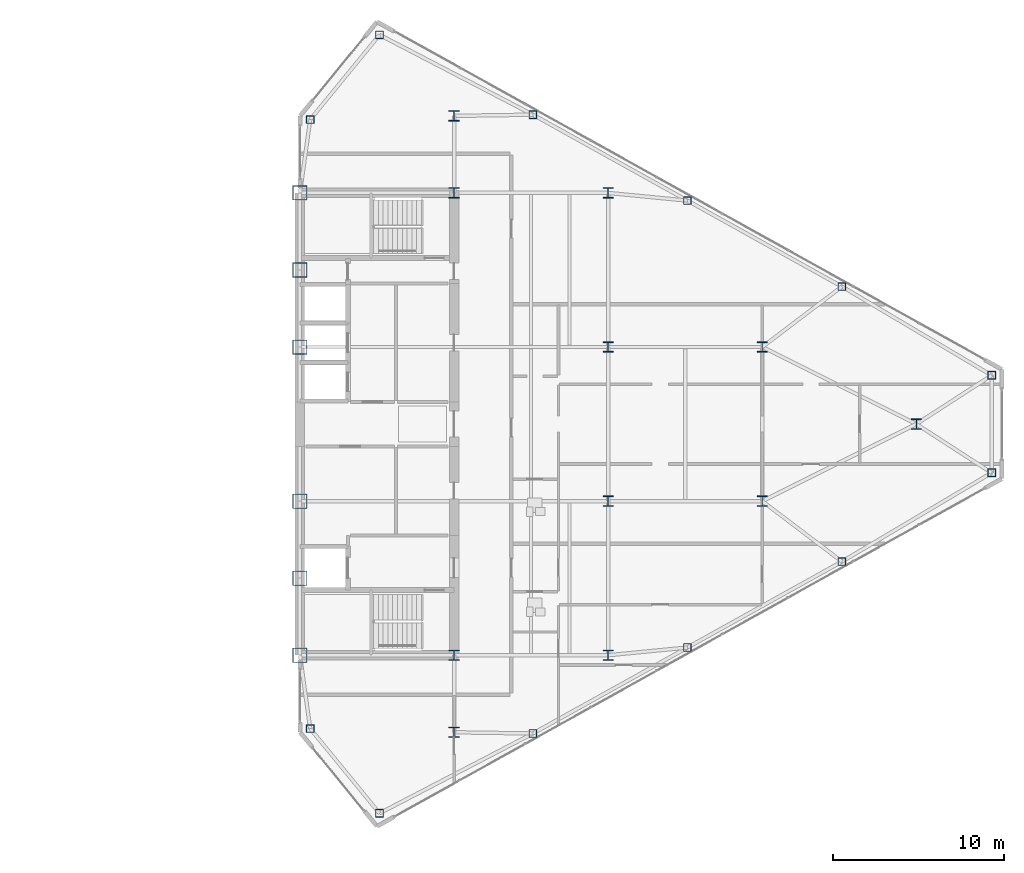
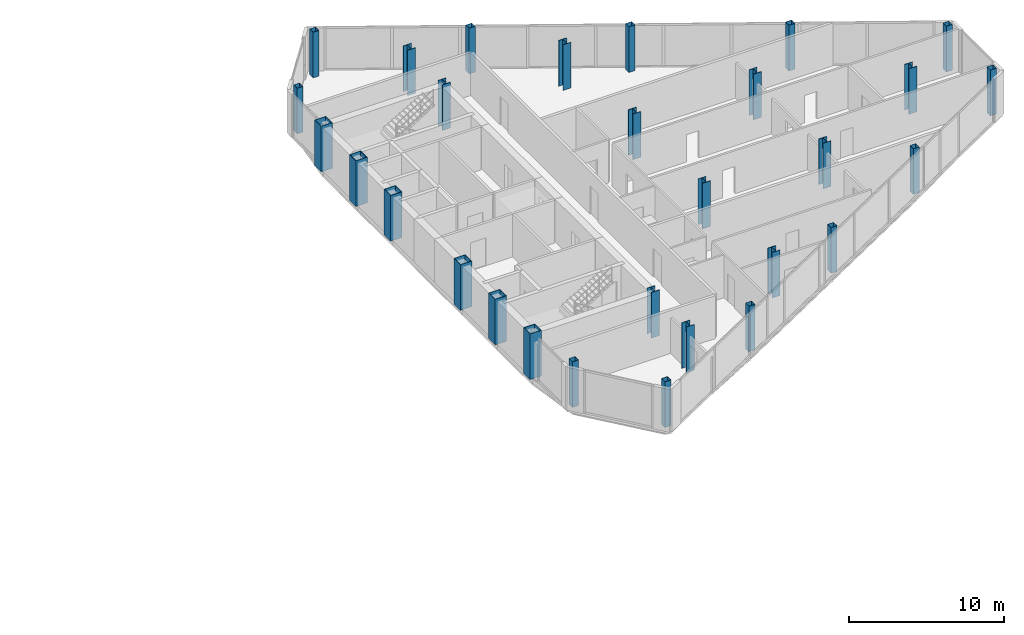
# One storey, part 2 of 26: 29 columns.
"""IFC4 building model written with IfcOpenShell, lengths in metres."""

from ifc_helpers import new_model, si_unit, direction, frame, origin, origin_2d, place, context, subcontext, project, spatial, hollow_rectangle, i_section, extrude, source, transform, mapped, material, material_profile, profile_set, type_object, type_shapes, element, save


model = new_model("IFC4")

# Units and contexts
model_context = context("Model", 3, precision=1e-05, world=origin(), true_north=direction((0.0, 1.0)))
body_context = subcontext(model_context, "Body", "Model", "MODEL_VIEW")
ifc_project = project(units=[si_unit("LENGTHUNIT", "METRE"), si_unit("AREAUNIT", "SQUARE_METRE"), si_unit("VOLUMEUNIT", "CUBIC_METRE"), si_unit("PLANEANGLEUNIT", "RADIAN"), si_unit("MASSUNIT", "GRAM", prefix="KILO")], contexts=[model_context])

# Site, building, storey
site_placement = place(None, origin())
site = spatial("IfcSite", under=ifc_project, at=site_placement, CompositionType="ELEMENT")
building_placement = place(site_placement, origin())
building = spatial("IfcBuilding", under=site, at=building_placement, Name="Seokmaru Belvedere", CompositionType="ELEMENT")
storey_placement = place(building_placement, frame((0.0, 0.0, 170.699951171875)))
storey = spatial("IfcBuildingStorey", under=building, at=storey_placement, Name="L45", CompositionType="ELEMENT", Elevation=170.699951171875)

# Columns
ifc_material_1 = material(Name="Steel SM355 (355 MPa)", Category="steel")
ifc_material_profile_1 = material_profile(ifc_material_1, hollow_rectangle(XDim=0.449951171875, YDim=0.449951171875, WallThickness=0.01806640625, at=origin_2d()), Name="HSS-450x450x18")
ifc_profile_set_1 = profile_set([ifc_material_profile_1], Name="Steel SM355 (355 MPa)")
column_type_1 = type_object("IfcColumnType", Name="Perimeter Facet Column HSS-450", PredefinedType="COLUMN", material=ifc_profile_set_1)
shared_shape_1 = source(origin(), body_context, "Body", "SweptSolid", [
    extrude(hollow_rectangle(XDim=0.449951171875, YDim=0.449951171875, WallThickness=0.01806640625, at=origin_2d()), origin(), (0.0, 0.0, 1.0), 3.60009765625),
])
type_shapes(column_type_1, [shared_shape_1])
for number, where, z_axis, x_axis, name in (
    (1, (32.146728515625, -22.731689453125, 0.0), (0.0, 0.0, 1.0), (1.0, 0.0, 0.0), "L45 Column EF1"),
    (2, (67.89990234375, -2.84716796875, 0.0), (0.0, 0.0, 1.0), (1.0, 0.0, 0.0), "L45 Column EF2"),
    (3, (67.89990234375, 2.84716796875, 0.0), (0.0, 0.0, 1.0), (1.0, 0.0, 0.0), "L45 Column EF3"),
    (4, (32.146728515625, 22.731689453125, 0.0), (0.0, 0.0, 1.0), (1.0, 0.0, 0.0), "L45 Column EF4"),
    (5, (28.10009765625, 17.785888671875, 0.0), (0.0, 0.0, 1.0), (1.0, 0.0, 0.0), "L45 Column EF5"),
    (6, (28.10009765625, -17.785888671875, 0.0), (0.0, 0.0, 1.0), (1.0, 0.0, 0.0), "L45 Column EF6"),
    (7, (41.103759765625, -18.07080078125, 0.0), (0.0, 0.0, 1.0), (1.0, 0.0, 0.0), "L45 Column EFLK_S1"),
    (8, (50.129150390625, -13.051025390625, 0.0), (0.0, 0.0, 1.0), (1.0, 0.0, 0.0), "L45 Column EFLK_S2"),
    (9, (59.154541015625, -8.031494140625, 0.0), (0.0, 0.0, 1.0), (1.0, 0.0, 0.0), "L45 Column EFLK_S3"),
    (10, (41.103759765625, 18.07080078125, 0.0), (0.0, 0.0, 1.0), (1.0, 0.0, 0.0), "L45 Column EFLK_N1"),
    (11, (50.129150390625, 13.051025390625, 0.0), (0.0, 0.0, 1.0), (1.0, 0.0, 0.0), "L45 Column EFLK_N2"),
    (12, (59.154541015625, 8.031494140625, 0.0), (0.0, 0.0, 1.0), (1.0, 0.0, 0.0), "L45 Column EFLK_N3"),
):
    element("IfcColumn", number, at=place(storey_placement, frame(where, z_axis=z_axis, x_axis=x_axis)), inside=storey, type_object=column_type_1, Name=name, PredefinedType="COLUMN", context=body_context, shape_type="MappedRepresentation", body=[
        mapped(shared_shape_1, transform((0.0, 0.0, 0.0), scale=1.0)),
    ])
ifc_material_2 = material(Name="Steel HSA650 (650 MPa)", Category="steel")
ifc_material_profile_2 = material_profile(ifc_material_2, hollow_rectangle(XDim=0.85009765625, YDim=0.85009765625, WallThickness=0.035888671875, at=origin_2d()), Name="BOX-850x850x36")
ifc_profile_set_2 = profile_set([ifc_material_profile_2], Name="Steel HSA650 (650 MPa)")
column_type_2 = type_object("IfcColumnType", Name="Portal Spine Column BOX-850", PredefinedType="COLUMN", material=ifc_profile_set_2)
shared_shape_2 = source(origin(), body_context, "Body", "SweptSolid", [
    extrude(hollow_rectangle(XDim=0.85009765625, YDim=0.85009765625, WallThickness=0.035888671875, at=origin_2d()), origin(), (0.0, 0.0, 1.0), 3.60009765625),
])
type_shapes(column_type_2, [shared_shape_2])
for number, where, z_axis, x_axis, name in (
    (13, (27.5, -13.5, 0.0), (0.0, 0.0, 1.0), (1.0, 0.0, 0.0), "L45 Column ES1"),
    (14, (27.5, -9.0, 0.0), (0.0, 0.0, 1.0), (1.0, 0.0, 0.0), "L45 Column ES2"),
    (15, (27.5, -4.5, 0.0), (0.0, 0.0, 1.0), (1.0, 0.0, 0.0), "L45 Column ES3"),
    (16, (27.5, 4.5, 0.0), (0.0, 0.0, 1.0), (1.0, 0.0, 0.0), "L45 Column ES4"),
    (17, (27.5, 9.0, 0.0), (0.0, 0.0, 1.0), (1.0, 0.0, 0.0), "L45 Column ES5"),
    (18, (27.5, 13.5, 0.0), (0.0, 0.0, 1.0), (1.0, 0.0, 0.0), "L45 Column ES6"),
):
    element("IfcColumn", number, at=place(storey_placement, frame(where, z_axis=z_axis, x_axis=x_axis)), inside=storey, type_object=column_type_2, Name=name, PredefinedType="COLUMN", context=body_context, shape_type="MappedRepresentation", body=[
        mapped(shared_shape_2, transform((0.0, 0.0, 0.0), scale=1.0)),
    ])
ifc_material_profile_3 = material_profile(ifc_material_1, i_section(OverallWidth=0.60009765625, OverallDepth=0.60009765625, WebThickness=0.02490234375, FlangeThickness=0.0400390625, at=origin_2d()), Name="H-600x600x25x40")
ifc_profile_set_3 = profile_set([ifc_material_profile_3], Name="Steel SM355 (355 MPa)")
column_type_3 = type_object("IfcColumnType", Name="Upper-Mid Interior Column H-600", PredefinedType="COLUMN", material=ifc_profile_set_3)
shared_shape_3 = source(origin(), body_context, "Body", "SweptSolid", [
    extrude(i_section(OverallWidth=0.60009765625, OverallDepth=0.60009765625, WebThickness=0.02490234375, FlangeThickness=0.0400390625, at=origin_2d()), origin(), (0.0, 0.0, 1.0), 3.60009765625),
])
type_shapes(column_type_3, [shared_shape_3])
for number, where, z_axis, x_axis, name in (
    (19, (36.5, -18.0, 0.0), (0.0, 0.0, 1.0), (1.0, 0.0, 0.0), "L45 Column EC1"),
    (20, (36.5, -13.5, 0.0), (0.0, 0.0, 1.0), (1.0, 0.0, 0.0), "L45 Column EC2"),
    (21, (36.5, 13.5, 0.0), (0.0, 0.0, 1.0), (1.0, 0.0, 0.0), "L45 Column EC3"),
    (22, (36.5, 18.0, 0.0), (0.0, 0.0, 1.0), (1.0, 0.0, 0.0), "L45 Column EC4"),
    (23, (45.5, -13.5, 0.0), (0.0, 0.0, 1.0), (1.0, 0.0, 0.0), "L45 Column EG5_1"),
    (24, (45.5, -4.5, 0.0), (0.0, 0.0, 1.0), (1.0, 0.0, 0.0), "L45 Column EG5_2"),
    (25, (45.5, 4.5, 0.0), (0.0, 0.0, 1.0), (1.0, 0.0, 0.0), "L45 Column EG5_3"),
    (26, (45.5, 13.5, 0.0), (0.0, 0.0, 1.0), (1.0, 0.0, 0.0), "L45 Column EG5_4"),
    (27, (54.5, -4.5, 0.0), (0.0, 0.0, 1.0), (1.0, 0.0, 0.0), "L45 Column EG4P_1"),
    (28, (54.5, 4.5, 0.0), (0.0, 0.0, 1.0), (1.0, 0.0, 0.0), "L45 Column EG4P_2"),
    (29, (63.5, 0.0, 0.0), (0.0, 0.0, 1.0), (1.0, 0.0, 0.0), "L45 Column EG3P_1"),
):
    element("IfcColumn", number, at=place(storey_placement, frame(where, z_axis=z_axis, x_axis=x_axis)), inside=storey, type_object=column_type_3, Name=name, PredefinedType="COLUMN", context=body_context, shape_type="MappedRepresentation", body=[
        mapped(shared_shape_3, transform((0.0, 0.0, 0.0), scale=1.0)),
    ])

save(model, "model.ifc")
